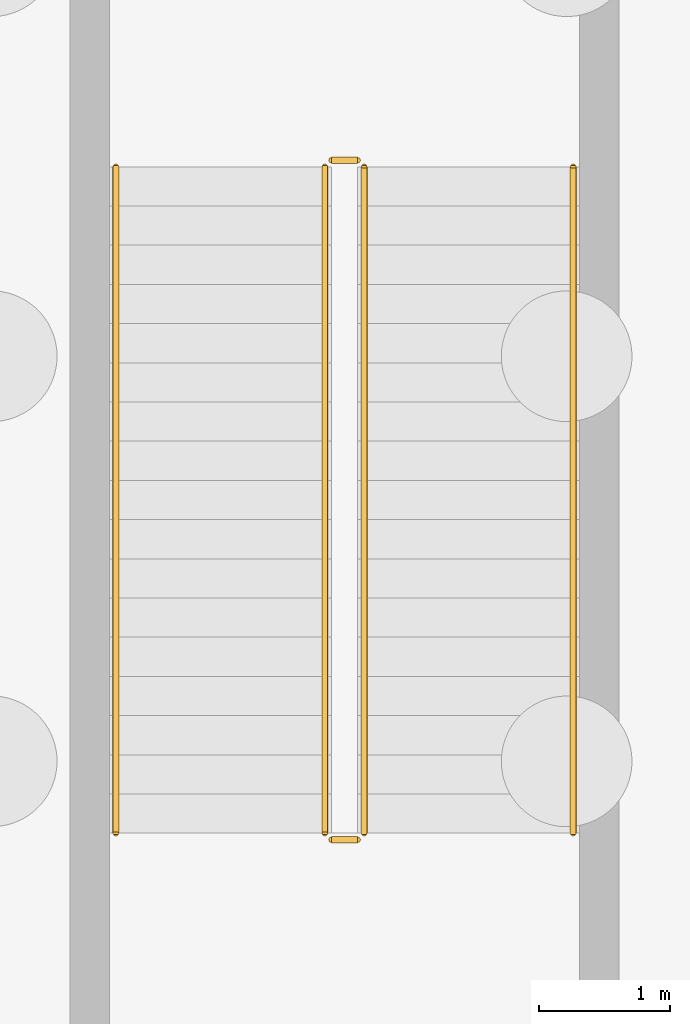
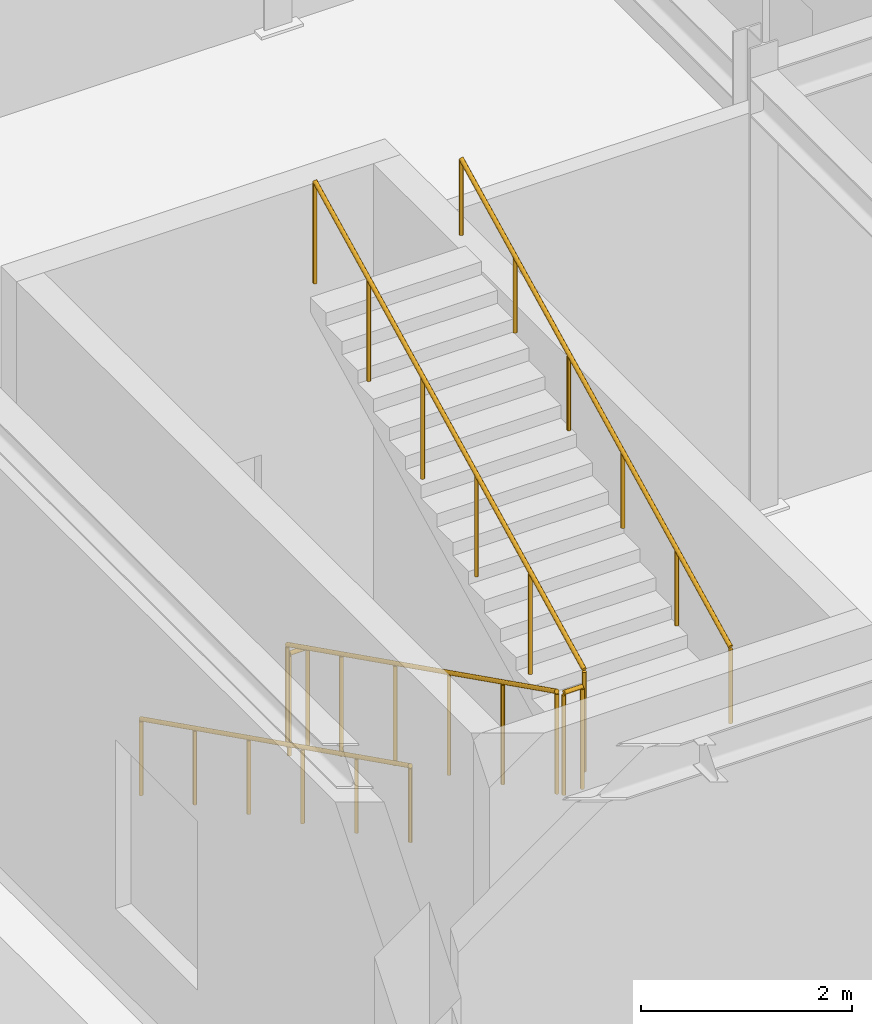
# One storey, part 71 of 76: 6 railings.
"""IFC4 building model written with IfcOpenShell, lengths in metres."""

from ifc_helpers import new_model, si_unit, direction, frame, origin, origin_2d, place, context, subcontext, project, spatial, circle, extrude, material, type_object, element, save


model = new_model("IFC4")

# Units and contexts
model_context = context("Model", 3, precision=1e-05, world=origin(), true_north=direction((0.0, 1.0)))
body_context = subcontext(model_context, "Body", "Model", "MODEL_VIEW")
ifc_project = project(units=[si_unit("LENGTHUNIT", "METRE"), si_unit("AREAUNIT", "SQUARE_METRE"), si_unit("VOLUMEUNIT", "CUBIC_METRE"), si_unit("PLANEANGLEUNIT", "RADIAN"), si_unit("MASSUNIT", "GRAM", prefix="KILO")], contexts=[model_context])

# Site, building, storey
site_placement = place(None, origin())
site = spatial("IfcSite", under=ifc_project, at=site_placement, CompositionType="ELEMENT")
building_placement = place(site_placement, origin())
building = spatial("IfcBuilding", under=site, at=building_placement, Name="Bozkorgan Art Gallery", CompositionType="ELEMENT")
storey_placement = place(building_placement, origin())
storey = spatial("IfcBuildingStorey", under=building, at=storey_placement, Name="L00", CompositionType="ELEMENT", Elevation=0.0)

# Railings
ifc_material = material(Name="Steel S355J2", Category="steel")
railing_type_1 = type_object("IfcRailingType", Name="RAIL-GRD-115", PredefinedType="GUARDRAIL", material=ifc_material)
railing_1_placement = place(storey_placement, frame((5.050048828125, 73.75, 0.14990234375)))
element("IfcRailing", 1, at=railing_1_placement, inside=storey, type_object=railing_type_1, Name="L00 ST5 stair guard 1", PredefinedType="GUARDRAIL", context=body_context, shape_type="SweptSolid", body=[
    extrude(circle(Radius=0.02392578125, at=origin_2d()), frame((0.0, 0.0, 1.17578125), z_axis=(0.0, -0.894427191, 0.4472135955), x_axis=(1.0, 0.0, 0.0)), (0.0, 0.0, 1.0), 5.7021484375),
    extrude(circle(Radius=0.02099609375, at=origin_2d()), origin(), (0.0, 0.0, 1.0), 1.15185546875),
    extrude(circle(Radius=0.02099609375, at=origin_2d()), frame((0.0, -1.02001953125, 0.510009765625)), (0.0, 0.0, 1.0), 1.15185546875),
    extrude(circle(Radius=0.02099609375, at=origin_2d()), frame((0.0, -2.0400390625, 1.02001953125)), (0.0, 0.0, 1.0), 1.15185546875),
    extrude(circle(Radius=0.02099609375, at=origin_2d()), frame((0.0, -3.06005859375, 1.530029296875)), (0.0, 0.0, 1.0), 1.15185546875),
    extrude(circle(Radius=0.02099609375, at=origin_2d()), frame((0.0, -4.080078125, 2.0400390625)), (0.0, 0.0, 1.0), 1.15185546875),
    extrude(circle(Radius=0.02099609375, at=origin_2d()), frame((0.0, -5.10009765625, 2.550048828125)), (0.0, 0.0, 1.0), 1.15185546875),
])
railing_2_placement = place(storey_placement, frame((5.10009765625, 68.60009765625, 2.699951171875)))
element("IfcRailing", 2, at=railing_2_placement, inside=storey, type_object=railing_type_1, Name="L00 ST5 stair guard 2", PredefinedType="GUARDRAIL", context=body_context, shape_type="SweptSolid", body=[
    extrude(circle(Radius=0.02392578125, at=origin_2d()), frame((0.0, 0.0, 1.17578125), z_axis=(1.0, 0.0, 0.0), x_axis=(0.0, 1.0, 0.0)), (0.0, 0.0, 1.0), 0.199951171875),
    extrude(circle(Radius=0.02099609375, at=origin_2d()), origin(), (0.0, 0.0, 1.0), 1.15185546875),
    extrude(circle(Radius=0.02099609375, at=origin_2d()), frame((0.199951171875, 0.0, 0.0)), (0.0, 0.0, 1.0), 1.15185546875),
])
railing_3_placement = place(storey_placement, frame((5.35009765625, 68.64990234375, 2.85009765625)))
element("IfcRailing", 3, at=railing_3_placement, inside=storey, type_object=railing_type_1, Name="L00 ST5 stair guard 3", PredefinedType="GUARDRAIL", context=body_context, shape_type="SweptSolid", body=[
    extrude(circle(Radius=0.02392578125, at=origin_2d()), frame((0.0, 0.0, 1.17578125), z_axis=(0.0, 0.89444431709, 0.44717934168), x_axis=(-1.0, 0.0, 0.0)), (0.0, 0.0, 1.0), 5.701904296875),
    extrude(circle(Radius=0.02099609375, at=origin_2d()), origin(), (0.0, 0.0, 1.0), 1.15185546875),
    extrude(circle(Radius=0.02099609375, at=origin_2d()), frame((0.0, 1.02001953125, 0.510009765625)), (0.0, 0.0, 1.0), 1.15185546875),
    extrude(circle(Radius=0.02099609375, at=origin_2d()), frame((0.0, 2.0400390625, 1.02001953125)), (0.0, 0.0, 1.0), 1.15185546875),
    extrude(circle(Radius=0.02099609375, at=origin_2d()), frame((0.0, 3.06005859375, 1.52978515625)), (0.0, 0.0, 1.0), 1.15185546875),
    extrude(circle(Radius=0.02099609375, at=origin_2d()), frame((0.0, 4.080078125, 2.039794921875)), (0.0, 0.0, 1.0), 1.15185546875),
    extrude(circle(Radius=0.02099609375, at=origin_2d()), frame((0.0, 5.10009765625, 2.5498046875)), (0.0, 0.0, 1.0), 1.15185546875),
])
railing_4_placement = place(storey_placement, frame((5.10009765625, 73.800048828125, 0.0)))
element("IfcRailing", 4, at=railing_4_placement, inside=storey, type_object=railing_type_1, Name="L00 ST5 stair guard 4", PredefinedType="GUARDRAIL", context=body_context, shape_type="SweptSolid", body=[
    extrude(circle(Radius=0.02392578125, at=origin_2d()), frame((0.0, 0.0, 1.17578125), z_axis=(1.0, 0.0, 0.0), x_axis=(0.0, 1.0, 0.0)), (0.0, 0.0, 1.0), 0.199951171875),
    extrude(circle(Radius=0.02099609375, at=origin_2d()), origin(), (0.0, 0.0, 1.0), 1.15185546875),
    extrude(circle(Radius=0.02099609375, at=origin_2d()), frame((0.199951171875, 0.0, 0.0)), (0.0, 0.0, 1.0), 1.15185546875),
])
railing_type_2 = type_object("IfcRailingType", Name="RAIL-HND-092", PredefinedType="HANDRAIL", material=ifc_material)
railing_5_placement = place(storey_placement, frame((3.449951171875, 73.75, 0.14990234375)))
element("IfcRailing", 5, at=railing_5_placement, inside=storey, type_object=railing_type_2, Name="L00 ST5 stair handrail 1", PredefinedType="HANDRAIL", context=body_context, shape_type="SweptSolid", body=[
    extrude(circle(Radius=0.02392578125, at=origin_2d()), frame((0.0, 0.0, 0.8759765625), z_axis=(0.0, -0.894427191, 0.4472135955), x_axis=(1.0, 0.0, 0.0)), (0.0, 0.0, 1.0), 5.7021484375),
    extrude(circle(Radius=0.02099609375, at=origin_2d()), origin(), (0.0, 0.0, 1.0), 0.851806640625),
    extrude(circle(Radius=0.02099609375, at=origin_2d()), frame((0.0, -1.02001953125, 0.510009765625)), (0.0, 0.0, 1.0), 0.851806640625),
    extrude(circle(Radius=0.02099609375, at=origin_2d()), frame((0.0, -2.0400390625, 1.02001953125)), (0.0, 0.0, 1.0), 0.851806640625),
    extrude(circle(Radius=0.02099609375, at=origin_2d()), frame((0.0, -3.06005859375, 1.530029296875)), (0.0, 0.0, 1.0), 0.851806640625),
    extrude(circle(Radius=0.02099609375, at=origin_2d()), frame((0.0, -4.080078125, 2.0400390625)), (0.0, 0.0, 1.0), 0.851806640625),
    extrude(circle(Radius=0.02099609375, at=origin_2d()), frame((0.0, -5.10009765625, 2.550048828125)), (0.0, 0.0, 1.0), 0.851806640625),
])
railing_6_placement = place(storey_placement, frame((6.949951171875, 68.64990234375, 2.85009765625)))
element("IfcRailing", 6, at=railing_6_placement, inside=storey, type_object=railing_type_2, Name="L00 ST5 stair handrail 2", PredefinedType="HANDRAIL", context=body_context, shape_type="SweptSolid", body=[
    extrude(circle(Radius=0.02392578125, at=origin_2d()), frame((0.0, 0.0, 0.8759765625), z_axis=(0.0, 0.89444431709, 0.44717934168), x_axis=(-1.0, 0.0, 0.0)), (0.0, 0.0, 1.0), 5.701904296875),
    extrude(circle(Radius=0.02099609375, at=origin_2d()), origin(), (0.0, 0.0, 1.0), 0.851806640625),
    extrude(circle(Radius=0.02099609375, at=origin_2d()), frame((0.0, 1.02001953125, 0.510009765625)), (0.0, 0.0, 1.0), 0.851806640625),
    extrude(circle(Radius=0.02099609375, at=origin_2d()), frame((0.0, 2.0400390625, 1.02001953125)), (0.0, 0.0, 1.0), 0.851806640625),
    extrude(circle(Radius=0.02099609375, at=origin_2d()), frame((0.0, 3.06005859375, 1.52978515625)), (0.0, 0.0, 1.0), 0.851806640625),
    extrude(circle(Radius=0.02099609375, at=origin_2d()), frame((0.0, 4.080078125, 2.039794921875)), (0.0, 0.0, 1.0), 0.851806640625),
    extrude(circle(Radius=0.02099609375, at=origin_2d()), frame((0.0, 5.10009765625, 2.5498046875)), (0.0, 0.0, 1.0), 0.851806640625),
])

save(model, "model.ifc")
